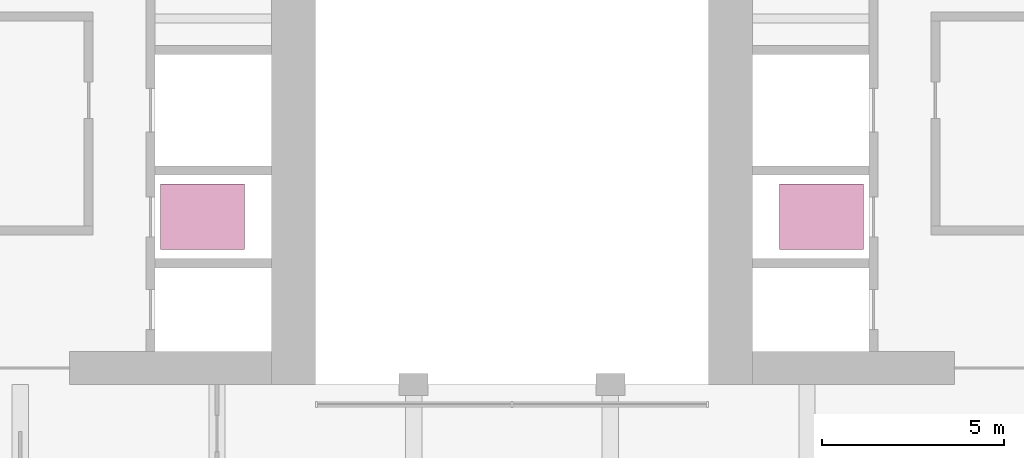
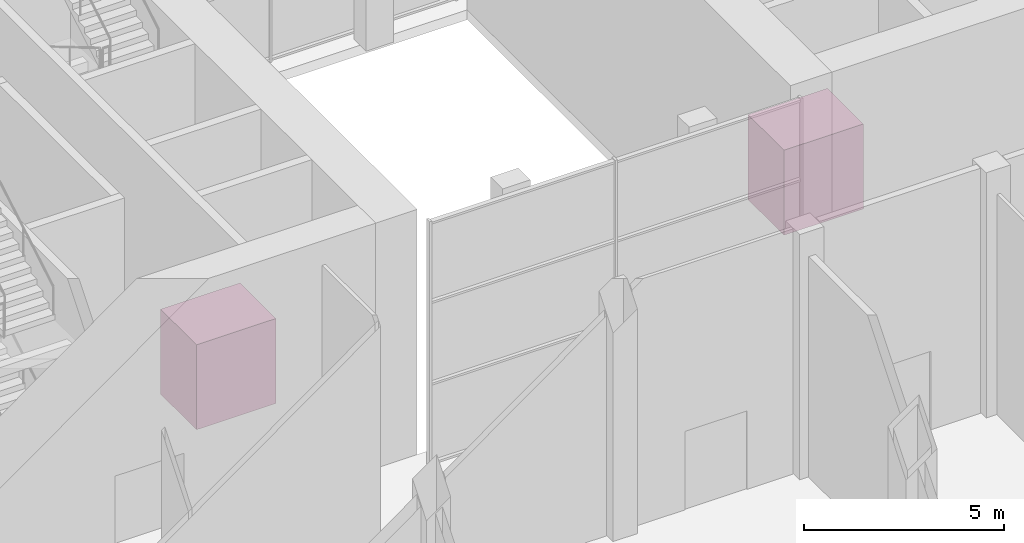
# One storey, part 20 of 20: 2 transport elements.
"""IFC4 building model written with IfcOpenShell, lengths in metres."""

import ifcopenshell
import ifcopenshell.guid

model = None  # the IFC model being written
_history = None  # IfcOwnerHistory: only IFC2X3 demands one
_inside = {}  # id of a spatial element -> (the spatial element, [elements in it])
_under = {}  # id of a project, library or spatial element -> (it, [spatial elements below it])
_declared = {}  # id of a project -> (the project, [libraries it declares])
_typed = {}  # id of a type object -> (the type object, [elements of that type])
_made_of = {}  # id of a material, layer set ... -> (it, [elements and type objects made of it])


def new_model(schema):
    """Start an empty IFC model of exactly this schema.

    Asked for "IFC4X3", IfcOpenShell would pick the latest addendum, in which some entities
    have other attributes; the version numbers below select the first issue.
    IFC2X3 requires an IfcOwnerHistory on every rooted entity: one is made here for all.
    """
    global model, _history
    if schema == "IFC4X3":
        model = ifcopenshell.file(schema_version=(4, 3, 0, 0))
    else:
        model = ifcopenshell.file(schema=schema)
    _inside.clear()
    _under.clear()
    _declared.clear()
    _typed.clear()
    _made_of.clear()
    _history = None
    if model.schema == "IFC2X3":
        org = make("IfcOrganization", Name="unknown")
        user = make(
            "IfcPersonAndOrganization",
            ThePerson=make("IfcPerson", FamilyName="unknown"),
            TheOrganization=org,
        )
        app = make(
            "IfcApplication",
            ApplicationDeveloper=org,
            Version="unknown",
            ApplicationFullName="unknown",
            ApplicationIdentifier="unknown",
        )
        _history = make(
            "IfcOwnerHistory",
            OwningUser=user,
            OwningApplication=app,
            ChangeAction="ADDED",
            CreationDate=0,
        )
    return model


def make(cls, **values):
    """One entity of the class cls with the attributes given. An attribute that is None is left unset."""
    return model.create_entity(
        cls, **{name: value for name, value in values.items() if value is not None}
    )


def rooted(cls, **values):
    """An entity with a GlobalId (a new one), such as an element, a storey or a relation."""
    return make(cls, GlobalId=ifcopenshell.guid.new(), OwnerHistory=_history, **values)


def si_unit(unit_type, name, prefix=None):
    """IfcSIUnit, for example si_unit("LENGTHUNIT", "METRE", prefix="MILLI")."""
    return make("IfcSIUnit", UnitType=unit_type, Prefix=prefix, Name=name)


def assignment(units):
    """IfcUnitAssignment: the units of a project."""
    return None if units is None else make("IfcUnitAssignment", Units=units)


def point(xyz):
    """IfcCartesianPoint."""
    return None if xyz is None else make("IfcCartesianPoint", Coordinates=xyz)


def direction(xyz):
    """IfcDirection."""
    return None if xyz is None else make("IfcDirection", DirectionRatios=xyz)


def frame(location, z_axis=None, x_axis=None):
    """IfcAxis2Placement3D, a coordinate frame: its origin and axes. An axis left out is left unset."""
    return make(
        "IfcAxis2Placement3D",
        Location=point(location),
        Axis=direction(z_axis),
        RefDirection=direction(x_axis),
    )


def frame_2d(location, x_axis=None):
    """IfcAxis2Placement2D, a coordinate frame in the plane: its origin and x axis."""
    return make(
        "IfcAxis2Placement2D", Location=point(location), RefDirection=direction(x_axis)
    )


def origin():
    """The frame at (0, 0, 0) with its axes left unset."""
    return frame((0.0, 0.0, 0.0))


def origin_2d():
    """The frame at (0, 0) in the plane with its x axis left unset."""
    return frame_2d((0.0, 0.0))


def place(relative_to, where):
    """IfcLocalPlacement: puts the frame where relative to a parent placement (None: the world)."""
    return make(
        "IfcLocalPlacement", PlacementRelTo=relative_to, RelativePlacement=where
    )


def context(
    kind, dimensions, precision=None, world=None, true_north=None, identifier=None
):
    """IfcGeometricRepresentationContext, for example the 3D "Model" context."""
    return make(
        "IfcGeometricRepresentationContext",
        ContextIdentifier=identifier,
        ContextType=kind,
        CoordinateSpaceDimension=dimensions,
        Precision=precision,
        WorldCoordinateSystem=world,
        TrueNorth=true_north,
    )


def subcontext(parent, identifier, kind, view, scale=None):
    """IfcGeometricRepresentationSubContext, for example "Body" below "Model"."""
    return make(
        "IfcGeometricRepresentationSubContext",
        ContextIdentifier=identifier,
        ContextType=kind,
        ParentContext=parent,
        TargetScale=scale,
        TargetView=view,
    )


def project(units=None, contexts=None):
    """IfcProject with its units and contexts."""
    return rooted(
        "IfcProject",
        Name="project",
        RepresentationContexts=contexts,
        UnitsInContext=assignment(units),
    )


def spatial(cls, under=None, at=None, **own):
    """A site, building, storey or space (cls), placed at a placement, below another one or the project."""
    s = rooted(cls, ObjectPlacement=at, **own)
    if under is not None:
        _under.setdefault(under.id(), (under, []))[1].append(s)
    return s


def profile(cls, at=None, kind="AREA", **sizes):
    """A parametric profile (cls). Its sizes go by their IFC names, for example OverallWidth=200.0."""
    return make(cls, ProfileType=kind, Position=at, **sizes)


def rectangle(**sizes):
    """IfcRectangleProfileDef."""
    return profile("IfcRectangleProfileDef", **sizes)


def extrude(swept, where, along, depth):
    """IfcExtrudedAreaSolid: the profile swept, set in the frame where, extruded along a direction by depth."""
    return make(
        "IfcExtrudedAreaSolid",
        SweptArea=swept,
        Position=where,
        ExtrudedDirection=direction(along),
        Depth=depth,
    )


def shape(context_of_items, identifier, shape_type, items):
    """IfcShapeRepresentation: the items that make up one representation, for example the "Body"."""
    return make(
        "IfcShapeRepresentation",
        ContextOfItems=context_of_items,
        RepresentationIdentifier=identifier,
        RepresentationType=shape_type,
        Items=items,
    )


def material(Name=None, Category=None):
    """IfcMaterial."""
    return make("IfcMaterial", Name=Name, Category=Category)


def made_of(thing, what):
    """Note that an element or type object is made of a material, layer set ...; save() writes the relation."""
    if what is not None:
        _made_of.setdefault(what.id(), (what, []))[1].append(thing)
    return thing


def type_object(cls, material=None, **own):
    """A type object (cls), such as IfcWallType, which elements share."""
    return made_of(rooted(cls, **own), material)


def element(
    cls,
    number,
    at=None,
    inside=None,
    cuts=None,
    type_object=None,
    material=None,
    context=None,
    identifier="Body",
    shape_type=None,
    held_by="IfcProductDefinitionShape",
    body=None,
    shapes=None,
    **own,
):
    """One element of the class cls, such as IfcWall. Its Tag is "e" and its number.

    at: its placement. inside: the storey or other place that contains it. cuts: it is an
    opening in that element (IfcRelVoidsElement). A single representation is given by context,
    identifier, shape_type and body (its items); several are given by shapes. held_by: the class
    of the entity that holds the representations. save() writes the other relations.
    """
    e = rooted(cls, Tag="e%d" % number, ObjectPlacement=at, **own)
    if body is not None:
        shapes = [shape(context, identifier, shape_type, body)]
    if shapes is not None:
        e.Representation = make(held_by, Representations=shapes)
    if inside is not None:
        _inside.setdefault(inside.id(), (inside, []))[1].append(e)
    if cuts is not None:
        rooted(
            "IfcRelVoidsElement", RelatingBuildingElement=cuts, RelatedOpeningElement=e
        )
    if type_object is not None:
        _typed.setdefault(type_object.id(), (type_object, []))[1].append(e)
    return made_of(e, material)


def aggregate(whole, parts):
    """IfcRelAggregates: a whole, such as a stair, and the parts it consists of."""
    return rooted("IfcRelAggregates", RelatingObject=whole, RelatedObjects=parts)


def save(model, path):
    """Write the relations noted so far, then the file.

    IfcRelAggregates (storeys below a building ...), IfcRelContainedInSpatialStructure (elements
    in a storey), IfcRelDefinesByType, IfcRelAssociatesMaterial and IfcRelDeclares: one each for
    every whole, place, type object, material and project.
    """
    for whole, parts in _under.values():
        aggregate(whole, parts)
    for where, things in _inside.values():
        rooted(
            "IfcRelContainedInSpatialStructure",
            RelatedElements=things,
            RelatingStructure=where,
        )
    for kind, things in _typed.values():
        rooted("IfcRelDefinesByType", RelatedObjects=things, RelatingType=kind)
    for what, things in _made_of.values():
        rooted("IfcRelAssociatesMaterial", RelatedObjects=things, RelatingMaterial=what)
    for by, libraries in _declared.values():
        rooted("IfcRelDeclares", RelatingContext=by, RelatedDefinitions=libraries)
    model.write(path)


model = new_model("IFC4")

# Units and contexts
model_context = context("Model", 3, precision=1e-05, world=origin(), true_north=direction((0.0, 1.0)))
body_context = subcontext(model_context, "Body", "Model", "MODEL_VIEW")
ifc_project = project(units=[si_unit("LENGTHUNIT", "METRE"), si_unit("AREAUNIT", "SQUARE_METRE"), si_unit("VOLUMEUNIT", "CUBIC_METRE"), si_unit("PLANEANGLEUNIT", "RADIAN"), si_unit("MASSUNIT", "GRAM", prefix="KILO")], contexts=[model_context])

# Site, building, storey
site_placement = place(None, origin())
site = spatial("IfcSite", under=ifc_project, at=site_placement, CompositionType="ELEMENT")
building_placement = place(site_placement, origin())
building = spatial("IfcBuilding", under=site, at=building_placement, Name="Tabaq Tower and Sports Hall", CompositionType="ELEMENT")
storey_placement = place(building_placement, frame((0.0, 0.0, 243.10009765625)))
storey = spatial("IfcBuildingStorey", under=building, at=storey_placement, Name="L60", CompositionType="ELEMENT", Elevation=243.10009765625)

# Transport elements
ifc_material = material(Name="High-rise passenger lift")
transport_element_type = type_object("IfcTransportElementType", Name="High-rise passenger lift", PredefinedType="ELEVATOR", material=ifc_material)
for number, where, z_axis, x_axis, name in (
    (1, (15.800048828125, 20.800048828125, -0.000244140625), (0.0, 0.0, 1.0), (1.0, 0.0, 0.0), "Lift HR1 car"),
    (2, (32.800048828125, 20.800048828125, -0.000244140625), (0.0, 0.0, 1.0), (1.0, 0.0, 0.0), "Lift HR2 car"),
):
    element("IfcTransportElement", number, at=place(storey_placement, frame(where, z_axis=z_axis, x_axis=x_axis)), inside=storey, type_object=transport_element_type, Name=name, PredefinedType="ELEVATOR", context=body_context, shape_type="SweptSolid", body=[
        extrude(rectangle(XDim=2.300048828125, YDim=1.800048828125, at=origin_2d()), origin(), (0.0, 0.0, 1.0), 2.60009765625),
    ])

save(model, "model.ifc")
